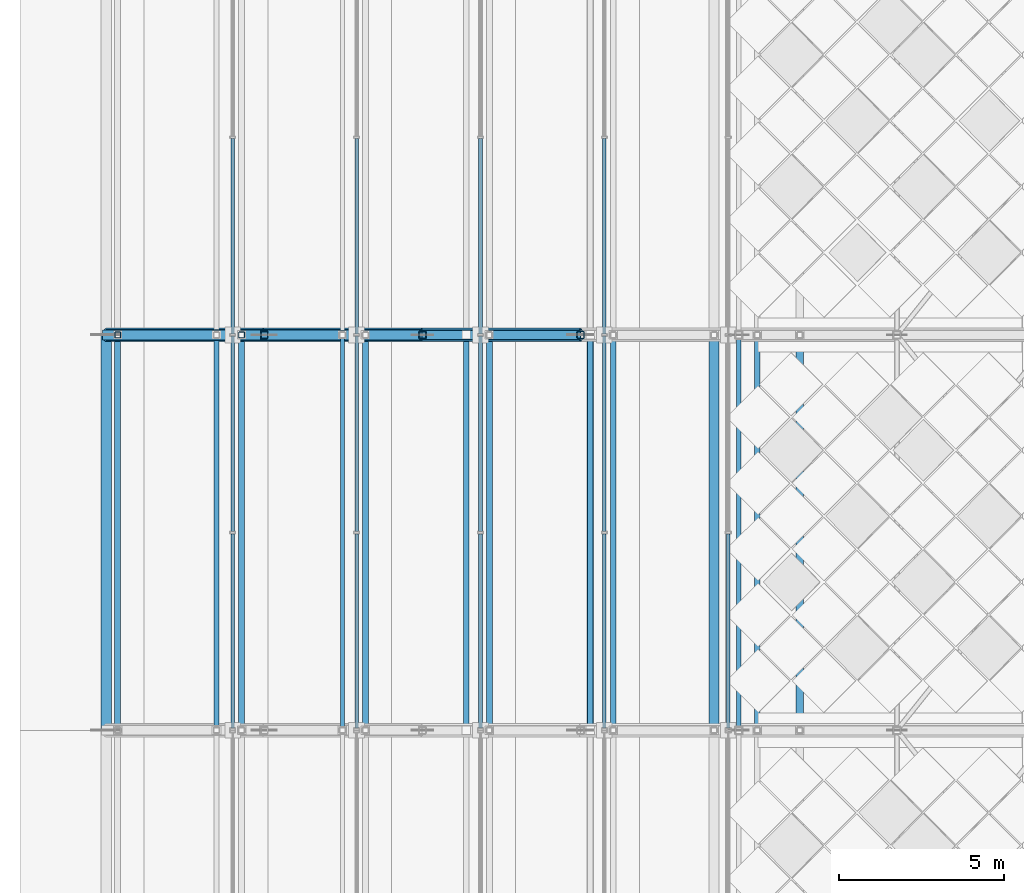
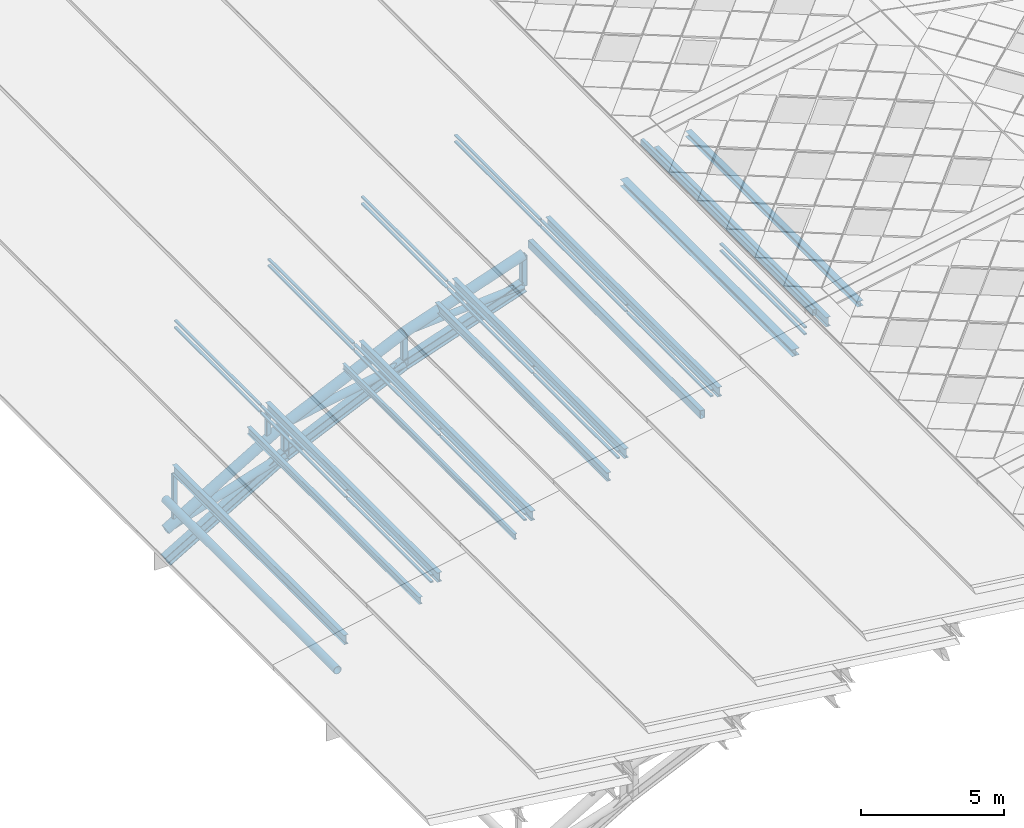
# One storey, part 22 of 117: 53 members, 1 beam, 5 elements without a shape of their own.
"""IFC4 building model written with IfcOpenShell, lengths in metres."""

from ifc_helpers import new_model, si_unit, direction, frame, origin, origin_2d, place, context, subcontext, project, spatial, hollow_rectangle, hollow_circle, i_section, extrude, material, material_profile, profile_set, type_object, element, aggregate, save


model = new_model("IFC4")

# Units and contexts
model_context = context("Model", 3, precision=1e-05, world=origin(), true_north=direction((0.0, 1.0)))
body_context = subcontext(model_context, "Body", "Model", "MODEL_VIEW")
ifc_project = project(units=[si_unit("LENGTHUNIT", "METRE"), si_unit("AREAUNIT", "SQUARE_METRE"), si_unit("VOLUMEUNIT", "CUBIC_METRE"), si_unit("PLANEANGLEUNIT", "RADIAN"), si_unit("MASSUNIT", "GRAM", prefix="KILO")], contexts=[model_context])

# Site, building, storey
site_placement = place(None, origin())
site = spatial("IfcSite", under=ifc_project, at=site_placement, CompositionType="ELEMENT")
building_placement = place(site_placement, origin())
building = spatial("IfcBuilding", under=site, at=building_placement, Name="Merenkruunu Market Hall", CompositionType="ELEMENT")
storey_placement = place(building_placement, frame((0.0, 0.0, 22.800048828125)))
storey = spatial("IfcBuildingStorey", under=building, at=storey_placement, Name="RF", CompositionType="ELEMENT", Elevation=22.800048828125)

# Members
ifc_material_1 = material(Name="Steel S355ML", Category="steel")
ifc_material_profile_1 = material_profile(ifc_material_1, hollow_circle(Radius=0.203125, WallThickness=0.01611328125, at=origin_2d()), Name="CHS 406.4x16")
ifc_profile_set_1 = profile_set([ifc_material_profile_1], Name="Steel S355ML")
member_type_1 = type_object("IfcMemberType", Name="Arch Truss Chord TC02", PredefinedType="CHORD", material=ifc_profile_set_1)
member_1_placement = place(storey_placement, frame((0.0, 75.60009765625, -10.150146484375), z_axis=(0.861115679414, 0.0, 0.508409074139), x_axis=(0.0, 1.0, 0.0)))
element("IfcMember", 1, at=member_1_placement, inside=storey, type_object=member_type_1, Name="TRUSS-AT-6-TOP-01", PredefinedType="CHORD", context=body_context, shape_type="SweptSolid", body=[
    extrude(hollow_circle(Radius=0.203125, WallThickness=0.01611328125, at=origin_2d()), origin(), (0.0, 0.0, 1.0), 5.57421875),
])
member_2_placement = place(storey_placement, frame((4.800048828125, 75.60009765625, -7.316162109375), z_axis=(0.909419998666, 0.0, 0.415878907889), x_axis=(0.0, 1.0, 0.0)))
element("IfcMember", 2, at=member_2_placement, inside=storey, type_object=member_type_1, Name="TRUSS-AT-6-TOP-02", PredefinedType="CHORD", context=body_context, shape_type="SweptSolid", body=[
    extrude(hollow_circle(Radius=0.203125, WallThickness=0.01611328125, at=origin_2d()), origin(), (0.0, 0.0, 1.0), 5.278076171875),
])
member_3_placement = place(storey_placement, frame((9.60009765625, 75.60009765625, -5.12109375), z_axis=(0.946219828174, 0.0, 0.323524399033), x_axis=(0.0, 1.0, 0.0)))
element("IfcMember", 3, at=member_3_placement, inside=storey, type_object=member_type_1, Name="TRUSS-AT-6-TOP-03", PredefinedType="CHORD", context=body_context, shape_type="SweptSolid", body=[
    extrude(hollow_circle(Radius=0.203125, WallThickness=0.01611328125, at=origin_2d()), origin(), (0.0, 0.0, 1.0), 5.072509765625),
])
ifc_material_profile_2 = material_profile(ifc_material_1, i_section(OverallWidth=0.300048828125, OverallDepth=0.449951171875, WebThickness=0.013916015625, FlangeThickness=0.02587890625, FilletRadius=0.027099609375, at=origin_2d()), Name="HEB 450")
ifc_profile_set_2 = profile_set([ifc_material_profile_2], Name="Steel S355ML")
member_type_2 = type_object("IfcMemberType", Name="Arch Truss Chord TC04", PredefinedType="CHORD", material=ifc_profile_set_2)
member_4_placement = place(storey_placement, frame((0.0, 75.60009765625, -11.449951171875), z_axis=(0.861115679414, 0.0, 0.508409074139), x_axis=(0.0, 1.0, 0.0)))
element("IfcMember", 4, at=member_4_placement, inside=storey, type_object=member_type_2, Name="TRUSS-AT-6-BOT-01", PredefinedType="CHORD", context=body_context, shape_type="SweptSolid", body=[
    extrude(i_section(OverallWidth=0.300048828125, OverallDepth=0.449951171875, WebThickness=0.013916015625, FlangeThickness=0.02587890625, FilletRadius=0.027099609375, at=origin_2d()), origin(), (0.0, 0.0, 1.0), 5.57421875),
])
member_5_placement = place(storey_placement, frame((4.800048828125, 75.60009765625, -8.615966796875), z_axis=(0.909437492245, 0.0, 0.415840651812), x_axis=(0.0, 1.0, 0.0)))
element("IfcMember", 5, at=member_5_placement, inside=storey, type_object=member_type_2, Name="TRUSS-AT-6-BOT-02", PredefinedType="CHORD", context=body_context, shape_type="SweptSolid", body=[
    extrude(i_section(OverallWidth=0.300048828125, OverallDepth=0.449951171875, WebThickness=0.013916015625, FlangeThickness=0.02587890625, FilletRadius=0.027099609375, at=origin_2d()), origin(), (0.0, 0.0, 1.0), 5.278076171875),
])
member_6_placement = place(storey_placement, frame((9.60009765625, 75.60009765625, -6.421142578125), z_axis=(0.946219828174, 0.0, 0.323524399033), x_axis=(0.0, 1.0, 0.0)))
element("IfcMember", 6, at=member_6_placement, inside=storey, type_object=member_type_2, Name="TRUSS-AT-6-BOT-03", PredefinedType="CHORD", context=body_context, shape_type="SweptSolid", body=[
    extrude(i_section(OverallWidth=0.300048828125, OverallDepth=0.449951171875, WebThickness=0.013916015625, FlangeThickness=0.02587890625, FilletRadius=0.027099609375, at=origin_2d()), origin(), (0.0, 0.0, 1.0), 5.072509765625),
])

# Curtain wall, members
ifc_material_2 = material(Name="Powder-coated aluminium", Category="aluminium")
curtain_wall_type = type_object("IfcCurtainWallType", Name="Clerestory Curtain Band CL05", PredefinedType="USERDEFINED", material=ifc_material_2)
curtain_wall_1_placement = place(storey_placement, origin())
curtain_wall_1 = element("IfcCurtainWall", 7, at=curtain_wall_1_placement, inside=storey, type_object=curtain_wall_type, Name="CW-RF-CWM04-085", ObjectType="CLERESTORY_BAND", PredefinedType="USERDEFINED")
ifc_material_profile_3 = material_profile(ifc_material_2, hollow_rectangle(XDim=0.06005859375, YDim=0.110107421875, WallThickness=0.00390625, at=origin_2d()), Name="ALU 60x110x4")
ifc_profile_set_3 = profile_set([ifc_material_profile_3], Name="Powder-coated aluminium")
member_type_3 = type_object("IfcMemberType", Name="Curtain Wall Transom CWT03", PredefinedType="USERDEFINED", material=ifc_profile_set_3)
member_7_placement = place(storey_placement, frame((3.840087890625, 63.669921875, -6.491943359375), z_axis=(0.0, 1.0, 0.0), x_axis=(0.0, 0.0, 1.0)))
member_7 = element("IfcMember", 8, at=member_7_placement, type_object=member_type_3, Name="CL05 transom 1.1", ObjectType="TRANSOM", PredefinedType="USERDEFINED", context=body_context, shape_type="SweptSolid", body=[
    extrude(hollow_rectangle(XDim=0.06005859375, YDim=0.110107421875, WallThickness=0.00390625, at=origin_2d()), origin(), (0.0, 0.0, 1.0), 5.89501953125),
])
member_8_placement = place(storey_placement, frame((3.840087890625, 63.669921875, -6.2041015625), z_axis=(0.0, 1.0, 0.0), x_axis=(0.0, 0.0, 1.0)))
member_8 = element("IfcMember", 9, at=member_8_placement, type_object=member_type_3, Name="CL05 transom 1.2", ObjectType="TRANSOM", PredefinedType="USERDEFINED", context=body_context, shape_type="SweptSolid", body=[
    extrude(hollow_rectangle(XDim=0.06005859375, YDim=0.110107421875, WallThickness=0.00390625, at=origin_2d()), origin(), (0.0, 0.0, 1.0), 5.89501953125),
])
member_9_placement = place(storey_placement, frame((3.840087890625, 69.635009765625, -6.491943359375), z_axis=(0.0, 1.0, 0.0), x_axis=(0.0, 0.0, 1.0)))
member_9 = element("IfcMember", 10, at=member_9_placement, type_object=member_type_3, Name="CL05 transom 2.1", ObjectType="TRANSOM", PredefinedType="USERDEFINED", context=body_context, shape_type="SweptSolid", body=[
    extrude(hollow_rectangle(XDim=0.06005859375, YDim=0.110107421875, WallThickness=0.00390625, at=origin_2d()), origin(), (0.0, 0.0, 1.0), 5.929931640625),
])
member_10_placement = place(storey_placement, frame((3.840087890625, 69.635009765625, -6.2041015625), z_axis=(0.0, 1.0, 0.0), x_axis=(0.0, 0.0, 1.0)))
member_10 = element("IfcMember", 11, at=member_10_placement, type_object=member_type_3, Name="CL05 transom 2.2", ObjectType="TRANSOM", PredefinedType="USERDEFINED", context=body_context, shape_type="SweptSolid", body=[
    extrude(hollow_rectangle(XDim=0.06005859375, YDim=0.110107421875, WallThickness=0.00390625, at=origin_2d()), origin(), (0.0, 0.0, 1.0), 5.929931640625),
])
member_11_placement = place(storey_placement, frame((3.840087890625, 75.635009765625, -6.491943359375), z_axis=(0.0, 1.0, 0.0), x_axis=(0.0, 0.0, 1.0)))
member_11 = element("IfcMember", 12, at=member_11_placement, type_object=member_type_3, Name="CL05 transom 3.1", ObjectType="TRANSOM", PredefinedType="USERDEFINED", context=body_context, shape_type="SweptSolid", body=[
    extrude(hollow_rectangle(XDim=0.06005859375, YDim=0.110107421875, WallThickness=0.00390625, at=origin_2d()), origin(), (0.0, 0.0, 1.0), 5.929931640625),
])
member_12_placement = place(storey_placement, frame((3.840087890625, 75.635009765625, -6.2041015625), z_axis=(0.0, 1.0, 0.0), x_axis=(0.0, 0.0, 1.0)))
member_12 = element("IfcMember", 13, at=member_12_placement, type_object=member_type_3, Name="CL05 transom 3.2", ObjectType="TRANSOM", PredefinedType="USERDEFINED", context=body_context, shape_type="SweptSolid", body=[
    extrude(hollow_rectangle(XDim=0.06005859375, YDim=0.110107421875, WallThickness=0.00390625, at=origin_2d()), origin(), (0.0, 0.0, 1.0), 5.929931640625),
])
aggregate(curtain_wall_1, [member_7, member_8, member_9, member_10, member_11, member_12])

curtain_wall_2_placement = place(storey_placement, origin())
curtain_wall_2 = element("IfcCurtainWall", 14, at=curtain_wall_2_placement, inside=storey, type_object=curtain_wall_type, Name="CW-RF-CWM04-093", ObjectType="CLERESTORY_BAND", PredefinedType="USERDEFINED")
member_13_placement = place(storey_placement, frame((7.60009765625, 63.669921875, -5.172119140625), z_axis=(0.0, 1.0, 0.0), x_axis=(0.0, 0.0, 1.0)))
member_13 = element("IfcMember", 15, at=member_13_placement, type_object=member_type_3, Name="CL05 transom 1.1", ObjectType="TRANSOM", PredefinedType="USERDEFINED", context=body_context, shape_type="SweptSolid", body=[
    extrude(hollow_rectangle(XDim=0.06005859375, YDim=0.110107421875, WallThickness=0.00390625, at=origin_2d()), origin(), (0.0, 0.0, 1.0), 5.89501953125),
])
member_14_placement = place(storey_placement, frame((7.60009765625, 63.669921875, -4.905029296875), z_axis=(0.0, 1.0, 0.0), x_axis=(0.0, 0.0, 1.0)))
member_14 = element("IfcMember", 16, at=member_14_placement, type_object=member_type_3, Name="CL05 transom 1.2", ObjectType="TRANSOM", PredefinedType="USERDEFINED", context=body_context, shape_type="SweptSolid", body=[
    extrude(hollow_rectangle(XDim=0.06005859375, YDim=0.110107421875, WallThickness=0.00390625, at=origin_2d()), origin(), (0.0, 0.0, 1.0), 5.89501953125),
])
member_15_placement = place(storey_placement, frame((7.60009765625, 69.635009765625, -5.172119140625), z_axis=(0.0, 1.0, 0.0), x_axis=(0.0, 0.0, 1.0)))
member_15 = element("IfcMember", 17, at=member_15_placement, type_object=member_type_3, Name="CL05 transom 2.1", ObjectType="TRANSOM", PredefinedType="USERDEFINED", context=body_context, shape_type="SweptSolid", body=[
    extrude(hollow_rectangle(XDim=0.06005859375, YDim=0.110107421875, WallThickness=0.00390625, at=origin_2d()), origin(), (0.0, 0.0, 1.0), 5.929931640625),
])
member_16_placement = place(storey_placement, frame((7.60009765625, 69.635009765625, -4.905029296875), z_axis=(0.0, 1.0, 0.0), x_axis=(0.0, 0.0, 1.0)))
member_16 = element("IfcMember", 18, at=member_16_placement, type_object=member_type_3, Name="CL05 transom 2.2", ObjectType="TRANSOM", PredefinedType="USERDEFINED", context=body_context, shape_type="SweptSolid", body=[
    extrude(hollow_rectangle(XDim=0.06005859375, YDim=0.110107421875, WallThickness=0.00390625, at=origin_2d()), origin(), (0.0, 0.0, 1.0), 5.929931640625),
])
member_17_placement = place(storey_placement, frame((7.60009765625, 75.635009765625, -5.172119140625), z_axis=(0.0, 1.0, 0.0), x_axis=(0.0, 0.0, 1.0)))
member_17 = element("IfcMember", 19, at=member_17_placement, type_object=member_type_3, Name="CL05 transom 3.1", ObjectType="TRANSOM", PredefinedType="USERDEFINED", context=body_context, shape_type="SweptSolid", body=[
    extrude(hollow_rectangle(XDim=0.06005859375, YDim=0.110107421875, WallThickness=0.00390625, at=origin_2d()), origin(), (0.0, 0.0, 1.0), 5.929931640625),
])
member_18_placement = place(storey_placement, frame((7.60009765625, 75.635009765625, -4.905029296875), z_axis=(0.0, 1.0, 0.0), x_axis=(0.0, 0.0, 1.0)))
member_18 = element("IfcMember", 20, at=member_18_placement, type_object=member_type_3, Name="CL05 transom 3.2", ObjectType="TRANSOM", PredefinedType="USERDEFINED", context=body_context, shape_type="SweptSolid", body=[
    extrude(hollow_rectangle(XDim=0.06005859375, YDim=0.110107421875, WallThickness=0.00390625, at=origin_2d()), origin(), (0.0, 0.0, 1.0), 5.929931640625),
])
aggregate(curtain_wall_2, [member_13, member_14, member_15, member_16, member_17, member_18])

curtain_wall_3_placement = place(storey_placement, origin())
curtain_wall_3 = element("IfcCurtainWall", 21, at=curtain_wall_3_placement, inside=storey, type_object=curtain_wall_type, Name="CW-RF-CWM04-101", ObjectType="CLERESTORY_BAND", PredefinedType="USERDEFINED")
member_19_placement = place(storey_placement, frame((11.360107421875, 63.669921875, -3.85205078125), z_axis=(0.0, 1.0, 0.0), x_axis=(0.0, 0.0, 1.0)))
member_19 = element("IfcMember", 22, at=member_19_placement, type_object=member_type_3, Name="CL05 transom 1.1", ObjectType="TRANSOM", PredefinedType="USERDEFINED", context=body_context, shape_type="SweptSolid", body=[
    extrude(hollow_rectangle(XDim=0.06005859375, YDim=0.110107421875, WallThickness=0.00390625, at=origin_2d()), origin(), (0.0, 0.0, 1.0), 5.89501953125),
])
member_20_placement = place(storey_placement, frame((11.360107421875, 63.669921875, -3.56396484375), z_axis=(0.0, 1.0, 0.0), x_axis=(0.0, 0.0, 1.0)))
member_20 = element("IfcMember", 23, at=member_20_placement, type_object=member_type_3, Name="CL05 transom 1.2", ObjectType="TRANSOM", PredefinedType="USERDEFINED", context=body_context, shape_type="SweptSolid", body=[
    extrude(hollow_rectangle(XDim=0.06005859375, YDim=0.110107421875, WallThickness=0.00390625, at=origin_2d()), origin(), (0.0, 0.0, 1.0), 5.89501953125),
])
member_21_placement = place(storey_placement, frame((11.360107421875, 69.635009765625, -3.85205078125), z_axis=(0.0, 1.0, 0.0), x_axis=(0.0, 0.0, 1.0)))
member_21 = element("IfcMember", 24, at=member_21_placement, type_object=member_type_3, Name="CL05 transom 2.1", ObjectType="TRANSOM", PredefinedType="USERDEFINED", context=body_context, shape_type="SweptSolid", body=[
    extrude(hollow_rectangle(XDim=0.06005859375, YDim=0.110107421875, WallThickness=0.00390625, at=origin_2d()), origin(), (0.0, 0.0, 1.0), 5.929931640625),
])
member_22_placement = place(storey_placement, frame((11.360107421875, 69.635009765625, -3.56396484375), z_axis=(0.0, 1.0, 0.0), x_axis=(0.0, 0.0, 1.0)))
member_22 = element("IfcMember", 25, at=member_22_placement, type_object=member_type_3, Name="CL05 transom 2.2", ObjectType="TRANSOM", PredefinedType="USERDEFINED", context=body_context, shape_type="SweptSolid", body=[
    extrude(hollow_rectangle(XDim=0.06005859375, YDim=0.110107421875, WallThickness=0.00390625, at=origin_2d()), origin(), (0.0, 0.0, 1.0), 5.929931640625),
])
member_23_placement = place(storey_placement, frame((11.360107421875, 75.635009765625, -3.85205078125), z_axis=(0.0, 1.0, 0.0), x_axis=(0.0, 0.0, 1.0)))
member_23 = element("IfcMember", 26, at=member_23_placement, type_object=member_type_3, Name="CL05 transom 3.1", ObjectType="TRANSOM", PredefinedType="USERDEFINED", context=body_context, shape_type="SweptSolid", body=[
    extrude(hollow_rectangle(XDim=0.06005859375, YDim=0.110107421875, WallThickness=0.00390625, at=origin_2d()), origin(), (0.0, 0.0, 1.0), 5.929931640625),
])
member_24_placement = place(storey_placement, frame((11.360107421875, 75.635009765625, -3.56396484375), z_axis=(0.0, 1.0, 0.0), x_axis=(0.0, 0.0, 1.0)))
member_24 = element("IfcMember", 27, at=member_24_placement, type_object=member_type_3, Name="CL05 transom 3.2", ObjectType="TRANSOM", PredefinedType="USERDEFINED", context=body_context, shape_type="SweptSolid", body=[
    extrude(hollow_rectangle(XDim=0.06005859375, YDim=0.110107421875, WallThickness=0.00390625, at=origin_2d()), origin(), (0.0, 0.0, 1.0), 5.929931640625),
])
aggregate(curtain_wall_3, [member_19, member_20, member_21, member_22, member_23, member_24])

curtain_wall_4_placement = place(storey_placement, origin())
curtain_wall_4 = element("IfcCurtainWall", 28, at=curtain_wall_4_placement, inside=storey, type_object=curtain_wall_type, Name="CW-RF-CWM04-109", ObjectType="CLERESTORY_BAND", PredefinedType="USERDEFINED")
member_25_placement = place(storey_placement, frame((15.1201171875, 63.669921875, -2.531982421875), z_axis=(0.0, 1.0, 0.0), x_axis=(0.0, 0.0, 1.0)))
member_25 = element("IfcMember", 29, at=member_25_placement, type_object=member_type_3, Name="CL05 transom 1.1", ObjectType="TRANSOM", PredefinedType="USERDEFINED", context=body_context, shape_type="SweptSolid", body=[
    extrude(hollow_rectangle(XDim=0.06005859375, YDim=0.110107421875, WallThickness=0.00390625, at=origin_2d()), origin(), (0.0, 0.0, 1.0), 5.89501953125),
])
member_26_placement = place(storey_placement, frame((15.1201171875, 63.669921875, -2.26513671875), z_axis=(0.0, 1.0, 0.0), x_axis=(0.0, 0.0, 1.0)))
member_26 = element("IfcMember", 30, at=member_26_placement, type_object=member_type_3, Name="CL05 transom 1.2", ObjectType="TRANSOM", PredefinedType="USERDEFINED", context=body_context, shape_type="SweptSolid", body=[
    extrude(hollow_rectangle(XDim=0.06005859375, YDim=0.110107421875, WallThickness=0.00390625, at=origin_2d()), origin(), (0.0, 0.0, 1.0), 5.89501953125),
])
member_27_placement = place(storey_placement, frame((15.1201171875, 69.635009765625, -2.531982421875), z_axis=(0.0, 1.0, 0.0), x_axis=(0.0, 0.0, 1.0)))
member_27 = element("IfcMember", 31, at=member_27_placement, type_object=member_type_3, Name="CL05 transom 2.1", ObjectType="TRANSOM", PredefinedType="USERDEFINED", context=body_context, shape_type="SweptSolid", body=[
    extrude(hollow_rectangle(XDim=0.06005859375, YDim=0.110107421875, WallThickness=0.00390625, at=origin_2d()), origin(), (0.0, 0.0, 1.0), 5.929931640625),
])
member_28_placement = place(storey_placement, frame((15.1201171875, 69.635009765625, -2.26513671875), z_axis=(0.0, 1.0, 0.0), x_axis=(0.0, 0.0, 1.0)))
member_28 = element("IfcMember", 32, at=member_28_placement, type_object=member_type_3, Name="CL05 transom 2.2", ObjectType="TRANSOM", PredefinedType="USERDEFINED", context=body_context, shape_type="SweptSolid", body=[
    extrude(hollow_rectangle(XDim=0.06005859375, YDim=0.110107421875, WallThickness=0.00390625, at=origin_2d()), origin(), (0.0, 0.0, 1.0), 5.929931640625),
])
member_29_placement = place(storey_placement, frame((15.1201171875, 75.635009765625, -2.531982421875), z_axis=(0.0, 1.0, 0.0), x_axis=(0.0, 0.0, 1.0)))
member_29 = element("IfcMember", 33, at=member_29_placement, type_object=member_type_3, Name="CL05 transom 3.1", ObjectType="TRANSOM", PredefinedType="USERDEFINED", context=body_context, shape_type="SweptSolid", body=[
    extrude(hollow_rectangle(XDim=0.06005859375, YDim=0.110107421875, WallThickness=0.00390625, at=origin_2d()), origin(), (0.0, 0.0, 1.0), 5.929931640625),
])
member_30_placement = place(storey_placement, frame((15.1201171875, 75.635009765625, -2.26513671875), z_axis=(0.0, 1.0, 0.0), x_axis=(0.0, 0.0, 1.0)))
member_30 = element("IfcMember", 34, at=member_30_placement, type_object=member_type_3, Name="CL05 transom 3.2", ObjectType="TRANSOM", PredefinedType="USERDEFINED", context=body_context, shape_type="SweptSolid", body=[
    extrude(hollow_rectangle(XDim=0.06005859375, YDim=0.110107421875, WallThickness=0.00390625, at=origin_2d()), origin(), (0.0, 0.0, 1.0), 5.929931640625),
])
aggregate(curtain_wall_4, [member_25, member_26, member_27, member_28, member_29, member_30])

curtain_wall_5_placement = place(storey_placement, origin())
curtain_wall_5 = element("IfcCurtainWall", 35, at=curtain_wall_5_placement, inside=storey, type_object=curtain_wall_type, Name="CW-RF-CWM04-117", ObjectType="CLERESTORY_BAND", PredefinedType="USERDEFINED")
member_31_placement = place(storey_placement, frame((18.8798828125, 63.669921875, -1.212158203125), z_axis=(0.0, 1.0, 0.0), x_axis=(0.0, 0.0, 1.0)))
member_31 = element("IfcMember", 36, at=member_31_placement, type_object=member_type_3, Name="CL05 transom 1.1", ObjectType="TRANSOM", PredefinedType="USERDEFINED", context=body_context, shape_type="SweptSolid", body=[
    extrude(hollow_rectangle(XDim=0.06005859375, YDim=0.110107421875, WallThickness=0.00390625, at=origin_2d()), origin(), (0.0, 0.0, 1.0), 5.89501953125),
])
member_32_placement = place(storey_placement, frame((18.8798828125, 63.669921875, -0.924072265625), z_axis=(0.0, 1.0, 0.0), x_axis=(0.0, 0.0, 1.0)))
member_32 = element("IfcMember", 37, at=member_32_placement, type_object=member_type_3, Name="CL05 transom 1.2", ObjectType="TRANSOM", PredefinedType="USERDEFINED", context=body_context, shape_type="SweptSolid", body=[
    extrude(hollow_rectangle(XDim=0.06005859375, YDim=0.110107421875, WallThickness=0.00390625, at=origin_2d()), origin(), (0.0, 0.0, 1.0), 5.89501953125),
])
aggregate(curtain_wall_5, [member_31, member_32])

# Members
ifc_material_profile_4 = material_profile(ifc_material_1, hollow_circle(Radius=0.161865234375, WallThickness=0.01611328125, at=origin_2d()), Name="CHS 323.9x16")
ifc_profile_set_4 = profile_set([ifc_material_profile_4], Name="Steel S355ML")
member_type_4 = type_object("IfcMemberType", Name="Diagonal Sway Brace BR01", PredefinedType="BRACE", material=ifc_profile_set_4)
member_33_placement = place(storey_placement, frame((0.0, 75.60009765625, -10.150146484375), z_axis=(0.95252984503, 0.0, 0.304445223853), x_axis=(0.0, 1.0, 0.0)))
element("IfcMember", 38, at=member_33_placement, inside=storey, type_object=member_type_4, Name="TRUSS-AT-6-DIAG-01", PredefinedType="BRACE", context=body_context, shape_type="SweptSolid", body=[
    extrude(hollow_circle(Radius=0.161865234375, WallThickness=0.01611328125, at=origin_2d()), origin(), (0.0, 0.0, 1.0), 5.039306640625),
])
member_34_placement = place(storey_placement, frame((4.800048828125, 75.60009765625, -7.316162109375), z_axis=(0.983056786802, 0.0, 0.18330126547), x_axis=(0.0, 1.0, 0.0)))
element("IfcMember", 39, at=member_34_placement, inside=storey, type_object=member_type_4, Name="TRUSS-AT-6-DIAG-02", PredefinedType="BRACE", context=body_context, shape_type="SweptSolid", body=[
    extrude(hollow_circle(Radius=0.161865234375, WallThickness=0.01611328125, at=origin_2d()), origin(), (0.0, 0.0, 1.0), 4.8828125),
])
ifc_material_profile_5 = material_profile(ifc_material_1, hollow_circle(Radius=0.136474609375, WallThickness=0.012451171875, at=origin_2d()), Name="CHS 273x12.5")
ifc_profile_set_5 = profile_set([ifc_material_profile_5], Name="Steel S355ML")
member_type_5 = type_object("IfcMemberType", Name="Diagonal Sway Brace BR02", PredefinedType="BRACE", material=ifc_profile_set_5)
member_35_placement = place(storey_placement, frame((9.60009765625, 75.60009765625, -5.12109375), z_axis=(0.997484901828, 0.0, 0.070879267948), x_axis=(0.0, 1.0, 0.0)))
element("IfcMember", 40, at=member_35_placement, inside=storey, type_object=member_type_5, Name="TRUSS-AT-6-DIAG-03", PredefinedType="BRACE", context=body_context, shape_type="SweptSolid", body=[
    extrude(hollow_circle(Radius=0.136474609375, WallThickness=0.012451171875, at=origin_2d()), origin(), (0.0, 0.0, 1.0), 4.81201171875),
])
ifc_material_3 = material(Name="Steel S355J2", Category="steel")
ifc_material_profile_6 = material_profile(ifc_material_3, hollow_rectangle(XDim=0.219970703125, YDim=0.219970703125, WallThickness=0.012451171875, InnerFilletRadius=0.012451171875, OuterFilletRadius=0.02490234375, at=origin_2d()), Name="SHS 220x220x12.5")
ifc_profile_set_6 = profile_set([ifc_material_profile_6], Name="Steel S355J2")
member_type_6 = type_object("IfcMemberType", Name="Diagonal Sway Brace BR04", PredefinedType="BRACE", material=ifc_profile_set_6)
member_36_placement = place(storey_placement, frame((4.800048828125, 75.60009765625, -8.615966796875), z_axis=(0.0, 0.0, 1.0), x_axis=(1.0, 0.0, 0.0)))
element("IfcMember", 41, at=member_36_placement, inside=storey, type_object=member_type_6, Name="TRUSS-AT-6-POST-01", PredefinedType="BRACE", context=body_context, shape_type="SweptSolid", body=[
    extrude(hollow_rectangle(XDim=0.219970703125, YDim=0.219970703125, WallThickness=0.012451171875, InnerFilletRadius=0.012451171875, OuterFilletRadius=0.02490234375, at=origin_2d()), origin(), (0.0, 0.0, 1.0), 1.2998046875),
])
for number, where, z_axis, x_axis, name in (
    (42, (9.60009765625, 75.60009765625, -6.421142578125), (0.0, 0.0, 1.0), (1.0, 0.0, 0.0), "TRUSS-AT-6-POST-02"),
    (43, (14.39990234375, 75.60009765625, -4.780029296875), (0.0, 0.0, 1.0), (1.0, 0.0, 0.0), "TRUSS-AT-6-POST-03"),
):
    element("IfcMember", number, at=place(storey_placement, frame(where, z_axis=z_axis, x_axis=x_axis)), inside=storey, type_object=member_type_6, Name=name, PredefinedType="BRACE", context=body_context, shape_type="SweptSolid", body=[
        extrude(hollow_rectangle(XDim=0.219970703125, YDim=0.219970703125, WallThickness=0.012451171875, InnerFilletRadius=0.012451171875, OuterFilletRadius=0.02490234375, at=origin_2d()), origin(), (0.0, 0.0, 1.0), 1.300048828125),
    ])
ifc_material_profile_7 = material_profile(ifc_material_3, hollow_rectangle(XDim=0.179931640625, YDim=0.179931640625, WallThickness=0.010009765625, InnerFilletRadius=0.010009765625, OuterFilletRadius=0.02001953125, at=origin_2d()), Name="SHS 180x180x10")
ifc_profile_set_7 = profile_set([ifc_material_profile_7], Name="Steel S355J2")
member_type_7 = type_object("IfcMemberType", Name="Diagonal Sway Brace BR05", PredefinedType="BRACE", material=ifc_profile_set_7)
member_37_placement = place(storey_placement, frame((0.35009765625, 75.60009765625, -9.751953125), z_axis=(0.0, 0.0, 1.0), x_axis=(1.0, 0.0, 0.0)))
element("IfcMember", 44, at=member_37_placement, inside=storey, type_object=member_type_7, Name="TRUSS-AT-6-RISER-W1-1", PredefinedType="BRACE", context=body_context, shape_type="SweptSolid", body=[
    extrude(hollow_rectangle(XDim=0.179931640625, YDim=0.179931640625, WallThickness=0.010009765625, InnerFilletRadius=0.010009765625, OuterFilletRadius=0.02001953125, at=origin_2d()), origin(), (0.0, 0.0, 1.0), 1.853515625),
])
member_38_placement = place(storey_placement, frame((4.110107421875, 75.60009765625, -7.53173828125), z_axis=(0.0, 0.0, 1.0), x_axis=(1.0, 0.0, 0.0)))
element("IfcMember", 45, at=member_38_placement, inside=storey, type_object=member_type_7, Name="TRUSS-AT-6-RISER-W2-1", PredefinedType="BRACE", context=body_context, shape_type="SweptSolid", body=[
    extrude(hollow_rectangle(XDim=0.179931640625, YDim=0.179931640625, WallThickness=0.010009765625, InnerFilletRadius=0.010009765625, OuterFilletRadius=0.02001953125, at=origin_2d()), origin(), (0.0, 0.0, 1.0), 0.9736328125),
])

# Beam
ifc_material_profile_8 = material_profile(ifc_material_1, hollow_circle(Radius=0.161865234375, WallThickness=0.01611328125, at=origin_2d()), Name="CHS 323.9x16")
ifc_profile_set_8 = profile_set([ifc_material_profile_8], Name="Steel S355ML")
beam_type = type_object("IfcBeamType", Name="Perimeter Spandrel Beam SP05", PredefinedType="SPANDREL", material=ifc_profile_set_8)
beam_placement = place(storey_placement, frame((0.0, 63.60009765625, -8.862060546875), z_axis=(0.0, 1.0, 0.0), x_axis=(-1.0, 0.0, 0.0)))
element("IfcBeam", 46, at=beam_placement, inside=storey, type_object=beam_type, Name="BM-RF-SP05-1280", PredefinedType="SPANDREL", context=body_context, shape_type="SweptSolid", body=[
    extrude(hollow_circle(Radius=0.161865234375, WallThickness=0.01611328125, at=origin_2d()), origin(), (0.0, 0.0, 1.0), 12.0),
])

# Members
ifc_material_profile_9 = material_profile(ifc_material_1, i_section(OverallWidth=0.14990234375, OverallDepth=0.300048828125, WebThickness=0.007080078125, FlangeThickness=0.0107421875, FilletRadius=0.014892578125, at=origin_2d()), Name="IPE 300")
ifc_profile_set_9 = profile_set([ifc_material_profile_9], Name="Steel S355ML")
member_type_8 = type_object("IfcMemberType", Name="Roof Purlin Rafter PR01", PredefinedType="PURLIN", material=ifc_profile_set_9)
member_39_placement = place(storey_placement, frame((3.35009765625, 63.60009765625, -7.071533203125), z_axis=(0.0, 1.0, 0.0), x_axis=(-1.0, 0.0, 0.0)))
element("IfcMember", 47, at=member_39_placement, inside=storey, type_object=member_type_8, Name="MEM-RF-PURL-W-025", PredefinedType="PURLIN", context=body_context, shape_type="SweptSolid", body=[
    extrude(i_section(OverallWidth=0.14990234375, OverallDepth=0.300048828125, WebThickness=0.007080078125, FlangeThickness=0.0107421875, FilletRadius=0.014892578125, at=origin_2d()), origin(), (0.0, 0.0, 1.0), 12.0),
])
ifc_material_profile_10 = material_profile(ifc_material_1, i_section(OverallWidth=0.1201171875, OverallDepth=0.239990234375, WebThickness=0.006103515625, FlangeThickness=0.009765625, FilletRadius=0.014892578125, at=origin_2d()), Name="IPE 240")
ifc_profile_set_10 = profile_set([ifc_material_profile_10], Name="Steel S355ML")
member_type_9 = type_object("IfcMemberType", Name="Roof Purlin Rafter PR02", PredefinedType="PURLIN", material=ifc_profile_set_10)
member_40_placement = place(storey_placement, frame((7.169921875, 63.60009765625, -5.687255859375), z_axis=(0.0, 1.0, 0.0), x_axis=(-1.0, 0.0, 0.0)))
element("IfcMember", 48, at=member_40_placement, inside=storey, type_object=member_type_9, Name="MEM-RF-PURL-W-057", PredefinedType="PURLIN", context=body_context, shape_type="SweptSolid", body=[
    extrude(i_section(OverallWidth=0.1201171875, OverallDepth=0.239990234375, WebThickness=0.006103515625, FlangeThickness=0.009765625, FilletRadius=0.014892578125, at=origin_2d()), origin(), (0.0, 0.0, 1.0), 12.0),
])
ifc_material_profile_11 = material_profile(ifc_material_1, i_section(OverallWidth=0.169921875, OverallDepth=0.360107421875, WebThickness=0.008056640625, FlangeThickness=0.0126953125, FilletRadius=0.01806640625, at=origin_2d()), Name="IPE 360")
ifc_profile_set_11 = profile_set([ifc_material_profile_11], Name="Steel S355ML")
member_type_10 = type_object("IfcMemberType", Name="Roof Purlin Rafter PR03", PredefinedType="PURLIN", material=ifc_profile_set_11)
member_41_placement = place(storey_placement, frame((10.929931640625, 63.60009765625, -4.452392578125), z_axis=(0.0, 1.0, 0.0), x_axis=(-1.0, 0.0, 0.0)))
element("IfcMember", 49, at=member_41_placement, inside=storey, type_object=member_type_10, Name="MEM-RF-PURL-W-089", PredefinedType="PURLIN", context=body_context, shape_type="SweptSolid", body=[
    extrude(i_section(OverallWidth=0.169921875, OverallDepth=0.360107421875, WebThickness=0.008056640625, FlangeThickness=0.0126953125, FilletRadius=0.01806640625, at=origin_2d()), origin(), (0.0, 0.0, 1.0), 12.0),
])
ifc_material_profile_12 = material_profile(ifc_material_1, hollow_rectangle(XDim=0.14990234375, YDim=0.25, WallThickness=0.010009765625, InnerFilletRadius=0.010009765625, OuterFilletRadius=0.02001953125, at=origin_2d()), Name="RHS 250x150x10")
ifc_profile_set_12 = profile_set([ifc_material_profile_12], Name="Steel S355ML")
member_type_11 = type_object("IfcMemberType", Name="Roof Purlin Rafter PR04", PredefinedType="PURLIN", material=ifc_profile_set_12)
member_42_placement = place(storey_placement, frame((19.199951171875, 63.60009765625, -0.35546875), z_axis=(0.0, 1.0, 0.0), x_axis=(-1.0, 0.0, 0.0)))
element("IfcMember", 50, at=member_42_placement, inside=storey, type_object=member_type_11, Name="MEM-CROWN-EAVE-054", PredefinedType="PURLIN", context=body_context, shape_type="SweptSolid", body=[
    extrude(hollow_rectangle(XDim=0.14990234375, YDim=0.25, WallThickness=0.010009765625, InnerFilletRadius=0.010009765625, OuterFilletRadius=0.02001953125, at=origin_2d()), origin(), (0.0, 0.0, 1.0), 12.0),
])
ifc_material_profile_13 = material_profile(ifc_material_1, hollow_rectangle(XDim=0.199951171875, YDim=0.35009765625, WallThickness=0.012451171875, InnerFilletRadius=0.012451171875, OuterFilletRadius=0.02490234375, at=origin_2d()), Name="RHS 350x200x12.5")
ifc_profile_set_13 = profile_set([ifc_material_profile_13], Name="Steel S355ML")
member_type_12 = type_object("IfcMemberType", Name="Roof Purlin Rafter PR06", PredefinedType="PURLIN", material=ifc_profile_set_13)
member_43_placement = place(storey_placement, frame((14.68994140625, 63.60009765625, -3.10986328125), z_axis=(0.0, 1.0, 0.0), x_axis=(-1.0, 0.0, 0.0)))
element("IfcMember", 51, at=member_43_placement, inside=storey, type_object=member_type_12, Name="MEM-RF-PURL-W-121", PredefinedType="PURLIN", context=body_context, shape_type="SweptSolid", body=[
    extrude(hollow_rectangle(XDim=0.199951171875, YDim=0.35009765625, WallThickness=0.012451171875, InnerFilletRadius=0.012451171875, OuterFilletRadius=0.02490234375, at=origin_2d()), origin(), (0.0, 0.0, 1.0), 12.0),
])
ifc_material_profile_14 = material_profile(ifc_material_1, i_section(OverallWidth=0.300048828125, OverallDepth=0.2900390625, WebThickness=0.008544921875, FlangeThickness=0.013916015625, FilletRadius=0.027099609375, at=origin_2d()), Name="HEA 300")
ifc_profile_set_14 = profile_set([ifc_material_profile_14], Name="Steel S355ML")
member_type_13 = type_object("IfcMemberType", Name="Roof Purlin Rafter PR07", PredefinedType="PURLIN", material=ifc_profile_set_14)
member_44_placement = place(storey_placement, frame((18.449951171875, 63.60009765625, -1.789306640625), z_axis=(0.0, 1.0, 0.0), x_axis=(-1.0, 0.0, 0.0)))
element("IfcMember", 52, at=member_44_placement, inside=storey, type_object=member_type_13, Name="MEM-RF-PURL-W-153", PredefinedType="PURLIN", context=body_context, shape_type="SweptSolid", body=[
    extrude(i_section(OverallWidth=0.300048828125, OverallDepth=0.2900390625, WebThickness=0.008544921875, FlangeThickness=0.013916015625, FilletRadius=0.027099609375, at=origin_2d()), origin(), (0.0, 0.0, 1.0), 12.0),
])
ifc_material_profile_15 = material_profile(ifc_material_1, i_section(OverallWidth=0.239990234375, OverallDepth=0.22998046875, WebThickness=0.007568359375, FlangeThickness=0.011962890625, FilletRadius=0.02099609375, at=origin_2d()), Name="HEA 240")
ifc_profile_set_15 = profile_set([ifc_material_profile_15], Name="Steel S355ML")
member_type_14 = type_object("IfcMemberType", Name="Roof Purlin Rafter PR08", PredefinedType="PURLIN", material=ifc_profile_set_15)
member_45_placement = place(storey_placement, frame((21.050048828125, 63.60009765625, -0.62841796875), z_axis=(0.0, 1.0, 0.0), x_axis=(-1.0, 0.0, 0.0)))
element("IfcMember", 53, at=member_45_placement, inside=storey, type_object=member_type_14, Name="MEM-RF-PURL-W-185", PredefinedType="PURLIN", context=body_context, shape_type="SweptSolid", body=[
    extrude(i_section(OverallWidth=0.239990234375, OverallDepth=0.22998046875, WebThickness=0.007568359375, FlangeThickness=0.011962890625, FilletRadius=0.02099609375, at=origin_2d()), origin(), (0.0, 0.0, 1.0), 12.0),
])
ifc_material_profile_16 = material_profile(ifc_material_1, i_section(OverallWidth=0.179931640625, OverallDepth=0.39990234375, WebThickness=0.008544921875, FlangeThickness=0.013427734375, FilletRadius=0.02099609375, at=origin_2d()), Name="IPE 400")
ifc_profile_set_16 = profile_set([ifc_material_profile_16], Name="Steel S355ML")
member_type_15 = type_object("IfcMemberType", Name="Roof Purlin Rafter PR09", PredefinedType="PURLIN", material=ifc_profile_set_16)
for number, where, z_axis, x_axis, name in (
    (54, (0.35009765625, 63.60009765625, -7.680419921875), (0.0, 1.0, 0.0), (-1.0, 0.0, 0.0), "MEM-RF-PURL-W-009"),
    (55, (4.110107421875, 63.60009765625, -6.340087890625), (0.0, 1.0, 0.0), (-1.0, 0.0, 0.0), "MEM-RF-PURL-W-041"),
    (56, (7.8701171875, 63.60009765625, -5.040283203125), (0.0, 1.0, 0.0), (-1.0, 0.0, 0.0), "MEM-RF-PURL-W-073"),
    (57, (11.6298828125, 63.60009765625, -3.699951171875), (0.0, 1.0, 0.0), (-1.0, 0.0, 0.0), "MEM-RF-PURL-W-105"),
    (58, (15.389892578125, 63.60009765625, -2.400390625), (0.0, 1.0, 0.0), (-1.0, 0.0, 0.0), "MEM-RF-PURL-W-137"),
    (59, (19.760009765625, 63.60009765625, -0.947021484375), (0.0, 1.0, 0.0), (-1.0, 0.0, 0.0), "MEM-RF-PURL-W-169"),
):
    element("IfcMember", number, at=place(storey_placement, frame(where, z_axis=z_axis, x_axis=x_axis)), inside=storey, type_object=member_type_15, Name=name, PredefinedType="PURLIN", context=body_context, shape_type="SweptSolid", body=[
        extrude(i_section(OverallWidth=0.179931640625, OverallDepth=0.39990234375, WebThickness=0.008544921875, FlangeThickness=0.013427734375, FilletRadius=0.02099609375, at=origin_2d()), origin(), (0.0, 0.0, 1.0), 12.0),
    ])

save(model, "model.ifc")
